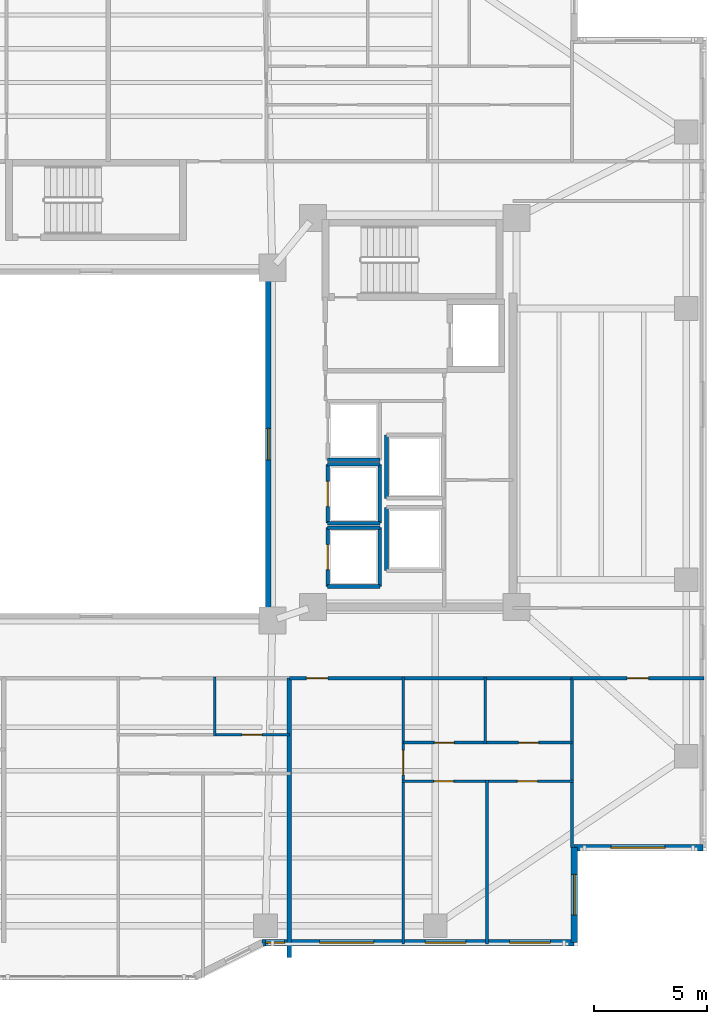
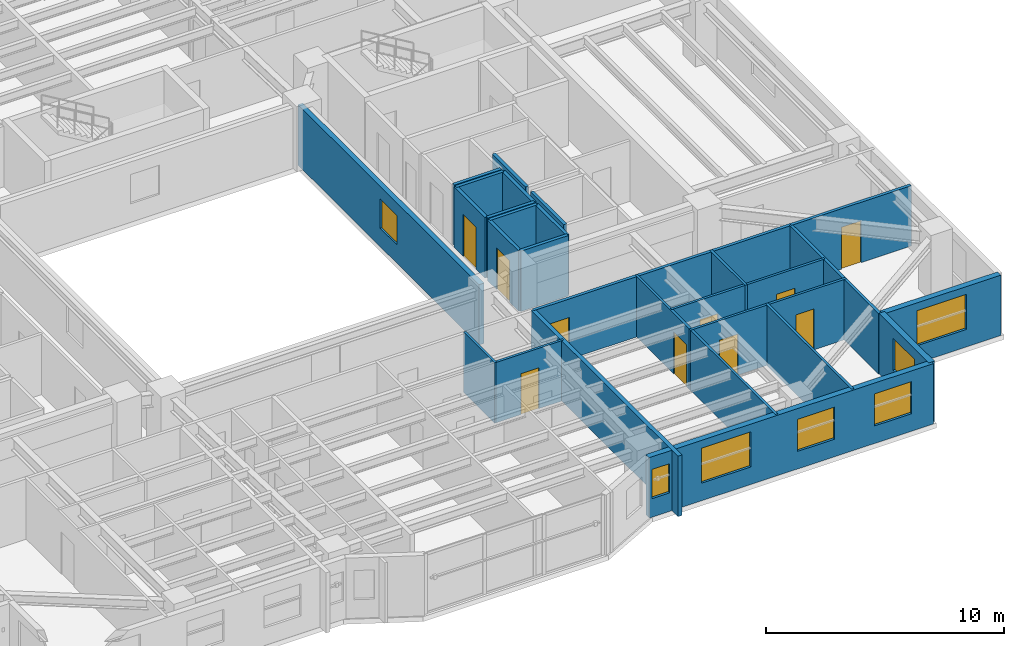
# One storey, part 8 of 18: 27 walls, 10 doors, 7 windows, 17 openings.
"""IFC4 building model written with IfcOpenShell, lengths in metres."""

from ifc_helpers import new_model, si_unit, direction, frame, frame_2d, origin, place, context, subcontext, project, spatial, rectangle, extrude, material, layer, layer_set, type_object, element, fill, save


model = new_model("IFC4")

# Units and contexts
model_context = context("Model", 3, precision=1e-05, world=origin(), true_north=direction((0.0, 1.0)))
body_context = subcontext(model_context, "Body", "Model", "MODEL_VIEW")
ifc_project = project(units=[si_unit("LENGTHUNIT", "METRE"), si_unit("AREAUNIT", "SQUARE_METRE"), si_unit("VOLUMEUNIT", "CUBIC_METRE"), si_unit("PLANEANGLEUNIT", "RADIAN"), si_unit("MASSUNIT", "GRAM", prefix="KILO")], contexts=[model_context])

# Site, building, storey
site_placement = place(None, origin())
site = spatial("IfcSite", under=ifc_project, at=site_placement, CompositionType="ELEMENT")
building_placement = place(site_placement, origin())
building = spatial("IfcBuilding", under=site, at=building_placement, Name="Tarnavaz Court Tower", CompositionType="ELEMENT")
storey_placement = place(building_placement, frame((0.0, 0.0, 85.0)))
storey = spatial("IfcBuildingStorey", under=building, at=storey_placement, Name="L22", CompositionType="ELEMENT", Elevation=85.0)

# Wall, opening, window
ifc_material_1 = material(Name="Precast Concrete C40/50", Category="concrete")
ifc_layer_1 = layer(ifc_material_1, 0.280029296875)
ifc_layer_set_1 = layer_set([ifc_layer_1], Name="Precast Concrete C40/50")
wall_type_1 = type_object("IfcWallType", Name="WL-EXT-280", PredefinedType="SOLIDWALL", material=ifc_layer_set_1)
wall_1_placement = place(storey_placement, frame((26.85009765625, -17.85009765625, 0.0), z_axis=(0.0, 0.0, 1.0), x_axis=(-1.0, 0.0, 0.0)))
wall_1 = element("IfcWall", 1, at=wall_1_placement, inside=storey, type_object=wall_type_1, Name="L22 Exterior Terracotta Facade Wall 13", PredefinedType="SOLIDWALL", context=body_context, shape_type="SweptSolid", body=[
    extrude(rectangle(XDim=5.7001953125, YDim=0.280029296875, at=frame_2d((2.85009765625, 0.0))), origin(), (0.0, 0.0, 1.0), 3.10009765625),
])
opening_1_placement = place(wall_1_placement, frame((1.675048828125, 0.0, 0.89990234375)))
opening_1 = element("IfcOpeningElement", 2, at=opening_1_placement, cuts=wall_1, Name="Opening W06", PredefinedType="OPENING", context=body_context, shape_type="SweptSolid", body=[
    extrude(rectangle(XDim=2.39990234375, YDim=1.800048828125, at=frame_2d((1.199951171875, 0.89990234375))), frame((0.0, 0.14990234375, 0.0), z_axis=(0.0, -1.0, 0.0), x_axis=(1.0, 0.0, 0.0)), (0.0, 0.0, 1.0), 0.300048828125),
])
ifc_material_2 = material(Name="Double-Glazed Solar Low-E Glass", Category="glass")
window_type_1 = type_object("IfcWindowType", Name="WN-APT-2400", PartitioningType="TRIPLE_PANEL_VERTICAL", PredefinedType="WINDOW", material=ifc_material_2)
window_1_placement = place(opening_1_placement, origin())
window_1 = element("IfcWindow", 3, at=window_1_placement, inside=storey, type_object=window_type_1, Name="L22 South-East Corner Reading Room Window", OverallHeight=1.800048828125, OverallWidth=2.39990234375, PartitioningType="SINGLE_PANEL", PredefinedType="WINDOW", context=body_context, shape_type="SweptSolid", body=[
    extrude(rectangle(XDim=2.39990234375, YDim=1.800048828125, at=frame_2d((1.199951171875, 0.89990234375))), frame((0.0, 0.030029296875, 0.0), z_axis=(0.0, -1.0, 0.0), x_axis=(1.0, 0.0, 0.0)), (0.0, 0.0, 1.0), 0.06005859375),
])
fill(opening_1, window_1)

wall_2_placement = place(storey_placement, frame((21.14990234375, -17.85009765625, 0.0), z_axis=(0.0, 0.0, 1.0), x_axis=(0.0, -1.0, 0.0)))
wall_2 = element("IfcWall", 4, at=wall_2_placement, inside=storey, type_object=wall_type_1, Name="L22 Exterior Terracotta Facade Wall 14", PredefinedType="SOLIDWALL", context=body_context, shape_type="SweptSolid", body=[
    extrude(rectangle(XDim=4.199951171875, YDim=0.280029296875, at=frame_2d((2.10009765625, 0.0))), origin(), (0.0, 0.0, 1.0), 3.10009765625),
])
opening_2_placement = place(wall_2_placement, frame((1.18212890625, 0.0, 0.89990234375)))
opening_2 = element("IfcOpeningElement", 5, at=opening_2_placement, cuts=wall_2, Name="Opening W01", PredefinedType="OPENING", context=body_context, shape_type="SweptSolid", body=[
    extrude(rectangle(XDim=1.800048828125, YDim=1.64990234375, at=frame_2d((0.89990234375, 0.824951171875))), frame((0.0, 0.14990234375, 0.0), z_axis=(0.0, -1.0, 0.0), x_axis=(1.0, 0.0, 0.0)), (0.0, 0.0, 1.0), 0.300048828125),
])
window_type_2 = type_object("IfcWindowType", Name="WN-APT-1800", PartitioningType="DOUBLE_PANEL_VERTICAL", PredefinedType="WINDOW", material=ifc_material_2)
window_2_placement = place(opening_2_placement, origin())
window_2 = element("IfcWindow", 6, at=window_2_placement, inside=storey, type_object=window_type_2, Name="L22 Flat 03 Bedroom 2 Window", OverallHeight=1.64990234375, OverallWidth=1.800048828125, PartitioningType="SINGLE_PANEL", PredefinedType="WINDOW", context=body_context, shape_type="SweptSolid", body=[
    extrude(rectangle(XDim=1.800048828125, YDim=1.64990234375, at=frame_2d((0.89990234375, 0.824951171875))), frame((0.0, 0.030029296875, 0.0), z_axis=(0.0, -1.0, 0.0), x_axis=(1.0, 0.0, 0.0)), (0.0, 0.0, 1.0), 0.06005859375),
])
fill(opening_2, window_2)

# Wall, openings, windows
wall_3_placement = place(storey_placement, frame((21.14990234375, -22.050048828125, 0.0), z_axis=(0.0, 0.0, 1.0), x_axis=(-1.0, 0.0, 0.0)))
wall_3 = element("IfcWall", 7, at=wall_3_placement, inside=storey, type_object=wall_type_1, Name="L22 Exterior Terracotta Facade Wall 15", PredefinedType="SOLIDWALL", context=body_context, shape_type="SweptSolid", body=[
    extrude(rectangle(XDim=13.7998046875, YDim=0.280029296875, at=frame_2d((6.89990234375, 0.0))), origin(), (0.0, 0.0, 1.0), 3.10009765625),
])
opening_3_placement = place(wall_3_placement, frame((1.05712890625, 0.0, 0.89990234375)))
opening_3 = element("IfcOpeningElement", 8, at=opening_3_placement, cuts=wall_3, Name="Opening W01", PredefinedType="OPENING", context=body_context, shape_type="SweptSolid", body=[
    extrude(rectangle(XDim=1.800048828125, YDim=1.64990234375, at=frame_2d((0.89990234375, 0.824951171875))), frame((0.0, 0.14990234375, 0.0), z_axis=(0.0, -1.0, 0.0), x_axis=(1.0, 0.0, 0.0)), (0.0, 0.0, 1.0), 0.300048828125),
])
opening_4_placement = place(wall_3_placement, frame((4.795654296875, 0.0, 0.89990234375)))
opening_4 = element("IfcOpeningElement", 9, at=opening_4_placement, cuts=wall_3, Name="Opening W01", PredefinedType="OPENING", context=body_context, shape_type="SweptSolid", body=[
    extrude(rectangle(XDim=1.800048828125, YDim=1.64990234375, at=frame_2d((0.89990234375, 0.824951171875))), frame((0.0, 0.14990234375, 0.0), z_axis=(0.0, -1.0, 0.0), x_axis=(1.0, 0.0, 0.0)), (0.0, 0.0, 1.0), 0.300048828125),
])
opening_5_placement = place(wall_3_placement, frame((8.861572265625, 0.0, 0.89990234375)))
opening_5 = element("IfcOpeningElement", 10, at=opening_5_placement, cuts=wall_3, Name="Opening W06", PredefinedType="OPENING", context=body_context, shape_type="SweptSolid", body=[
    extrude(rectangle(XDim=2.39990234375, YDim=1.800048828125, at=frame_2d((1.199951171875, 0.89990234375))), frame((0.0, 0.14990234375, 0.0), z_axis=(0.0, -1.0, 0.0), x_axis=(1.0, 0.0, 0.0)), (0.0, 0.0, 1.0), 0.300048828125),
])
opening_6_placement = place(wall_3_placement, frame((12.802978515625, 0.0, 0.949951171875)))
opening_6 = element("IfcOpeningElement", 11, at=opening_6_placement, cuts=wall_3, Name="Opening W15", PredefinedType="OPENING", context=body_context, shape_type="SweptSolid", body=[
    extrude(rectangle(XDim=0.85009765625, YDim=1.5, at=frame_2d((0.425048828125, 0.75))), frame((0.0, 0.14990234375, 0.0), z_axis=(0.0, -1.0, 0.0), x_axis=(1.0, 0.0, 0.0)), (0.0, 0.0, 1.0), 0.300048828125),
])
window_3_placement = place(opening_3_placement, origin())
window_3 = element("IfcWindow", 12, at=window_3_placement, inside=storey, type_object=window_type_2, Name="L22 Flat 03 Bedroom 2 Window", OverallHeight=1.64990234375, OverallWidth=1.800048828125, PartitioningType="SINGLE_PANEL", PredefinedType="WINDOW", context=body_context, shape_type="SweptSolid", body=[
    extrude(rectangle(XDim=1.800048828125, YDim=1.64990234375, at=frame_2d((0.89990234375, 0.824951171875))), frame((0.0, 0.030029296875, 0.0), z_axis=(0.0, -1.0, 0.0), x_axis=(1.0, 0.0, 0.0)), (0.0, 0.0, 1.0), 0.06005859375),
])
fill(opening_3, window_3)
window_4_placement = place(opening_4_placement, origin())
window_4 = element("IfcWindow", 13, at=window_4_placement, inside=storey, type_object=window_type_2, Name="L22 Flat 03 Principal Bedroom Window", OverallHeight=1.64990234375, OverallWidth=1.800048828125, PartitioningType="SINGLE_PANEL", PredefinedType="WINDOW", context=body_context, shape_type="SweptSolid", body=[
    extrude(rectangle(XDim=1.800048828125, YDim=1.64990234375, at=frame_2d((0.89990234375, 0.824951171875))), frame((0.0, 0.030029296875, 0.0), z_axis=(0.0, -1.0, 0.0), x_axis=(1.0, 0.0, 0.0)), (0.0, 0.0, 1.0), 0.06005859375),
])
fill(opening_4, window_4)
window_5_placement = place(opening_5_placement, origin())
window_5 = element("IfcWindow", 14, at=window_5_placement, inside=storey, type_object=window_type_1, Name="L22 Flat 03 Living and Dining Room Window", OverallHeight=1.800048828125, OverallWidth=2.39990234375, PartitioningType="SINGLE_PANEL", PredefinedType="WINDOW", context=body_context, shape_type="SweptSolid", body=[
    extrude(rectangle(XDim=2.39990234375, YDim=1.800048828125, at=frame_2d((1.199951171875, 0.89990234375))), frame((0.0, 0.030029296875, 0.0), z_axis=(0.0, -1.0, 0.0), x_axis=(1.0, 0.0, 0.0)), (0.0, 0.0, 1.0), 0.06005859375),
])
fill(opening_5, window_5)
window_type_3 = type_object("IfcWindowType", Name="WN-APT-850", PartitioningType="SINGLE_PANEL", PredefinedType="WINDOW", material=ifc_material_2)
window_6_placement = place(opening_6_placement, origin())
window_6 = element("IfcWindow", 15, at=window_6_placement, inside=storey, type_object=window_type_3, Name="L22 Flat 05 Bedroom 2 Window", OverallHeight=1.5, OverallWidth=0.85009765625, PartitioningType="SINGLE_PANEL", PredefinedType="WINDOW", context=body_context, shape_type="SweptSolid", body=[
    extrude(rectangle(XDim=0.85009765625, YDim=1.5, at=frame_2d((0.425048828125, 0.75))), frame((0.0, 0.030029296875, 0.0), z_axis=(0.0, -1.0, 0.0), x_axis=(1.0, 0.0, 0.0)), (0.0, 0.0, 1.0), 0.06005859375),
])
fill(opening_6, window_6)

# Wall, opening, door
ifc_material_3 = material(Name="Gypsum Fire-Board on Acoustic Metal Stud", Category="masonry")
ifc_layer_2 = layer(ifc_material_3, 0.14990234375)
ifc_layer_set_2 = layer_set([ifc_layer_2], Name="Gypsum Fire-Board on Acoustic Metal Stud")
wall_type_2 = type_object("IfcWallType", Name="WL-FIRE-150", PredefinedType="PARTITIONING", material=ifc_layer_set_2)
wall_4_placement = place(storey_placement, frame((8.550048828125, -10.35009765625, 0.0), z_axis=(0.0, 0.0, 1.0), x_axis=(1.0, 0.0, 0.0)))
wall_4 = element("IfcWall", 16, at=wall_4_placement, inside=storey, type_object=wall_type_2, Name="L22 SE Horseshoe Wall 074", PredefinedType="PARTITIONING", context=body_context, shape_type="SweptSolid", body=[
    extrude(rectangle(XDim=12.5, YDim=0.14990234375, at=frame_2d((6.25, 0.0))), origin(), (0.0, 0.0, 1.0), 3.10009765625),
])
opening_7_placement = place(wall_4_placement, frame((0.75, 0.0, 0.0)))
opening_7 = element("IfcOpeningElement", 17, at=opening_7_placement, cuts=wall_4, Name="Opening D06", PredefinedType="OPENING", context=body_context, shape_type="SweptSolid", body=[
    extrude(rectangle(XDim=0.9599609375, YDim=2.14990234375, at=frame_2d((0.47998046875, 1.074951171875))), frame((0.0, 0.0849609375, 0.0), z_axis=(0.0, -1.0, 0.0), x_axis=(1.0, 0.0, 0.0)), (0.0, 0.0, 1.0), 0.169921875),
])
ifc_material_4 = material(Name="Fire-Rated Hardwood Timber Core", Category="wood")
door_type_1 = type_object("IfcDoorType", Name="DR-FD60-950", OperationType="NOTDEFINED", PredefinedType="DOOR", material=ifc_material_4)
door_1_placement = place(opening_7_placement, origin())
door_1 = element("IfcDoor", 18, at=door_1_placement, inside=storey, type_object=door_type_1, Name="L22 Flat 03 Entrance Door", OperationType="SINGLE_SWING_RIGHT", OverallHeight=2.14990234375, OverallWidth=0.9599609375, PredefinedType="DOOR", context=body_context, shape_type="SweptSolid", body=[
    extrude(rectangle(XDim=0.9599609375, YDim=2.14990234375, at=frame_2d((0.47998046875, 1.074951171875))), frame((0.0, 0.02490234375, 0.0), z_axis=(0.0, -1.0, 0.0), x_axis=(1.0, 0.0, 0.0)), (0.0, 0.0, 1.0), 0.050048828125),
])
fill(opening_7, door_1)

wall_5_placement = place(storey_placement, frame((21.050048828125, -10.35009765625, 0.0), z_axis=(0.0, 0.0, 1.0), x_axis=(1.0, 0.0, 0.0)))
wall_5 = element("IfcWall", 19, at=wall_5_placement, inside=storey, type_object=wall_type_2, Name="L22 Interior Partition 122", PredefinedType="PARTITIONING", context=body_context, shape_type="SweptSolid", body=[
    extrude(rectangle(XDim=5.829833984375, YDim=0.14990234375, at=frame_2d((2.9150390625, 0.0))), origin(), (0.0, 0.0, 1.0), 3.10009765625),
])
opening_8_placement = place(wall_5_placement, frame((2.43994140625, 0.0, 0.0)))
opening_8 = element("IfcOpeningElement", 20, at=opening_8_placement, cuts=wall_5, Name="Opening D13", PredefinedType="OPENING", context=body_context, shape_type="SweptSolid", body=[
    extrude(rectangle(XDim=0.949951171875, YDim=2.14990234375, at=frame_2d((0.47509765625, 1.074951171875))), frame((0.0, 0.0849609375, 0.0), z_axis=(0.0, -1.0, 0.0), x_axis=(1.0, 0.0, 0.0)), (0.0, 0.0, 1.0), 0.169921875),
])
ifc_material_5 = material(Name="Engineered Oak Timber", Category="wood")
door_type_2 = type_object("IfcDoorType", Name="DR-INT-950", OperationType="NOTDEFINED", PredefinedType="DOOR", material=ifc_material_5)
door_2_placement = place(opening_8_placement, origin())
door_2 = element("IfcDoor", 21, at=door_2_placement, inside=storey, type_object=door_type_2, Name="L22 SE Reading Room Door", OperationType="SINGLE_SWING_RIGHT", OverallHeight=2.14990234375, OverallWidth=0.949951171875, PredefinedType="DOOR", context=body_context, shape_type="SweptSolid", body=[
    extrude(rectangle(XDim=0.949951171875, YDim=2.14990234375, at=frame_2d((0.47509765625, 1.074951171875))), frame((0.0, 0.02490234375, 0.0), z_axis=(0.0, -1.0, 0.0), x_axis=(1.0, 0.0, 0.0)), (0.0, 0.0, 1.0), 0.050048828125),
])
fill(opening_8, door_2)

# Wall
ifc_material_6 = material(Name="Autoclaved Aerated Concrete Blockwork", Category="masonry")
ifc_layer_3 = layer(ifc_material_6, 0.199951171875)
ifc_layer_set_3 = layer_set([ifc_layer_3], Name="Autoclaved Aerated Concrete Blockwork")
wall_type_3 = type_object("IfcWallType", Name="WL-FIRE-200", PredefinedType="SOLIDWALL", material=ifc_layer_set_3)
wall_6_placement = place(storey_placement, frame((8.550048828125, -22.7041015625, 0.0), z_axis=(0.0, 0.0, 1.0), x_axis=(0.0, 1.0, 0.0)))
element("IfcWall", 22, at=wall_6_placement, inside=storey, type_object=wall_type_3, Name="L22 Party Wall 099", PredefinedType="SOLIDWALL", context=body_context, shape_type="SweptSolid", body=[
    extrude(rectangle(XDim=12.35400390625, YDim=0.199951171875, at=frame_2d((6.177001953125, 0.0))), origin(), (0.0, 0.0, 1.0), 3.10009765625),
])

# Wall, opening, door
ifc_material_7 = material(Name="Moisture-Resistant Gypsum Board Partition", Category="masonry")
ifc_layer_4 = layer(ifc_material_7, 0.1201171875)
ifc_layer_set_4 = layer_set([ifc_layer_4], Name="Moisture-Resistant Gypsum Board Partition")
wall_type_4 = type_object("IfcWallType", Name="WL-PART-120", PredefinedType="PARTITIONING", material=ifc_layer_set_4)
wall_7_placement = place(storey_placement, frame((13.592041015625, -22.10009765625, 0.0), z_axis=(0.0, 0.0, 1.0), x_axis=(0.0, 1.0, 0.0)))
wall_7 = element("IfcWall", 23, at=wall_7_placement, inside=storey, type_object=wall_type_4, Name="L22 Interior Partition 092", PredefinedType="PARTITIONING", context=body_context, shape_type="SweptSolid", body=[
    extrude(rectangle(XDim=11.81005859375, YDim=0.1201171875, at=frame_2d((5.905029296875, 0.0))), origin(), (0.0, 0.0, 1.0), 3.10009765625),
])
opening_9_placement = place(wall_7_placement, frame((7.47509765625, 0.0, 0.0)))
opening_9 = element("IfcOpeningElement", 24, at=opening_9_placement, cuts=wall_7, Name="Opening D12", PredefinedType="OPENING", context=body_context, shape_type="SweptSolid", body=[
    extrude(rectangle(XDim=1.080078125, YDim=2.14990234375, at=frame_2d((0.5400390625, 1.074951171875))), frame((0.0, 0.070068359375, 0.0), z_axis=(0.0, -1.0, 0.0), x_axis=(1.0, 0.0, 0.0)), (0.0, 0.0, 1.0), 0.14013671875),
])
door_type_3 = type_object("IfcDoorType", Name="DR-INT-1100", OperationType="NOTDEFINED", PredefinedType="DOOR", material=ifc_material_5)
door_3_placement = place(opening_9_placement, origin())
door_3 = element("IfcDoor", 25, at=door_3_placement, inside=storey, type_object=door_type_3, Name="L22 Flat 03 Foyer Door", OperationType="SINGLE_SWING_LEFT", OverallHeight=2.14990234375, OverallWidth=1.080078125, PredefinedType="DOOR", context=body_context, shape_type="SweptSolid", body=[
    extrude(rectangle(XDim=1.080078125, YDim=2.14990234375, at=frame_2d((0.5400390625, 1.074951171875))), frame((0.0, 0.02490234375, 0.0), z_axis=(0.0, -1.0, 0.0), x_axis=(1.0, 0.0, 0.0)), (0.0, 0.0, 1.0), 0.050048828125),
])
fill(opening_9, door_3)

wall_8_placement = place(storey_placement, frame((13.592041015625, -13.199951171875, 0.0), z_axis=(0.0, 0.0, 1.0), x_axis=(1.0, 0.0, 0.0)))
wall_8 = element("IfcWall", 26, at=wall_8_placement, inside=storey, type_object=wall_type_4, Name="L22 Interior Partition 093", PredefinedType="PARTITIONING", context=body_context, shape_type="SweptSolid", body=[
    extrude(rectangle(XDim=3.625, YDim=0.1201171875, at=frame_2d((1.8125, 0.0))), origin(), (0.0, 0.0, 1.0), 3.10009765625),
])
opening_10_placement = place(wall_8_placement, frame((1.3720703125, 0.0, 0.0)))
opening_10 = element("IfcOpeningElement", 27, at=opening_10_placement, cuts=wall_8, Name="Opening D14", PredefinedType="OPENING", context=body_context, shape_type="SweptSolid", body=[
    extrude(rectangle(XDim=0.8798828125, YDim=2.10009765625, at=frame_2d((0.43994140625, 1.050048828125))), frame((0.0, 0.070068359375, 0.0), z_axis=(0.0, -1.0, 0.0), x_axis=(1.0, 0.0, 0.0)), (0.0, 0.0, 1.0), 0.14013671875),
])
door_type_4 = type_object("IfcDoorType", Name="DR-INT-900", OperationType="NOTDEFINED", PredefinedType="DOOR", material=ifc_material_5)
door_4_placement = place(opening_10_placement, origin())
door_4 = element("IfcDoor", 28, at=door_4_placement, inside=storey, type_object=door_type_4, Name="L22 Flat 03 Kitchen Door", OperationType="SINGLE_SWING_RIGHT", OverallHeight=2.10009765625, OverallWidth=0.8798828125, PredefinedType="DOOR", context=body_context, shape_type="SweptSolid", body=[
    extrude(rectangle(XDim=0.8798828125, YDim=2.10009765625, at=frame_2d((0.43994140625, 1.050048828125))), frame((0.0, 0.02490234375, 0.0), z_axis=(0.0, -1.0, 0.0), x_axis=(1.0, 0.0, 0.0)), (0.0, 0.0, 1.0), 0.050048828125),
])
fill(opening_10, door_4)

wall_9_placement = place(storey_placement, frame((17.217041015625, -13.199951171875, 0.0), z_axis=(0.0, 0.0, 1.0), x_axis=(1.0, 0.0, 0.0)))
wall_9 = element("IfcWall", 29, at=wall_9_placement, inside=storey, type_object=wall_type_4, Name="L22 Interior Partition 094", PredefinedType="PARTITIONING", context=body_context, shape_type="SweptSolid", body=[
    extrude(rectangle(XDim=3.8330078125, YDim=0.1201171875, at=frame_2d((1.91650390625, 0.0))), origin(), (0.0, 0.0, 1.0), 3.10009765625),
])
opening_11_placement = place(wall_9_placement, frame((1.47705078125, 0.0, 0.0)))
opening_11 = element("IfcOpeningElement", 30, at=opening_11_placement, cuts=wall_9, Name="Opening D14", PredefinedType="OPENING", context=body_context, shape_type="SweptSolid", body=[
    extrude(rectangle(XDim=0.8798828125, YDim=2.10009765625, at=frame_2d((0.43994140625, 1.050048828125))), frame((0.0, 0.070068359375, 0.0), z_axis=(0.0, -1.0, 0.0), x_axis=(1.0, 0.0, 0.0)), (0.0, 0.0, 1.0), 0.14013671875),
])
door_5_placement = place(opening_11_placement, origin())
door_5 = element("IfcDoor", 31, at=door_5_placement, inside=storey, type_object=door_type_4, Name="L22 Flat 03 Bathroom Door", OperationType="SINGLE_SWING_LEFT", OverallHeight=2.10009765625, OverallWidth=0.8798828125, PredefinedType="DOOR", context=body_context, shape_type="SweptSolid", body=[
    extrude(rectangle(XDim=0.8798828125, YDim=2.10009765625, at=frame_2d((0.43994140625, 1.050048828125))), frame((0.0, 0.02490234375, 0.0), z_axis=(0.0, -1.0, 0.0), x_axis=(1.0, 0.0, 0.0)), (0.0, 0.0, 1.0), 0.050048828125),
])
fill(opening_11, door_5)

# Wall, openings, doors
wall_10_placement = place(storey_placement, frame((13.531982421875, -14.909912109375, 0.0), z_axis=(0.0, 0.0, 1.0), x_axis=(1.0, 0.0, 0.0)))
wall_10 = element("IfcWall", 32, at=wall_10_placement, inside=storey, type_object=wall_type_4, Name="L22 Interior Partition 095", PredefinedType="PARTITIONING", context=body_context, shape_type="SweptSolid", body=[
    extrude(rectangle(XDim=7.578125, YDim=0.1201171875, at=frame_2d((3.7890625, 0.0))), origin(), (0.0, 0.0, 1.0), 3.10009765625),
])
opening_12_placement = place(wall_10_placement, frame((1.409912109375, 0.0, 0.0)))
opening_12 = element("IfcOpeningElement", 33, at=opening_12_placement, cuts=wall_10, Name="Opening D14", PredefinedType="OPENING", context=body_context, shape_type="SweptSolid", body=[
    extrude(rectangle(XDim=0.8798828125, YDim=2.10009765625, at=frame_2d((0.43994140625, 1.050048828125))), frame((0.0, 0.070068359375, 0.0), z_axis=(0.0, -1.0, 0.0), x_axis=(1.0, 0.0, 0.0)), (0.0, 0.0, 1.0), 0.14013671875),
])
opening_13_placement = place(wall_10_placement, frame((5.10888671875, 0.0, 0.0)))
opening_13 = element("IfcOpeningElement", 34, at=opening_13_placement, cuts=wall_10, Name="Opening D14", PredefinedType="OPENING", context=body_context, shape_type="SweptSolid", body=[
    extrude(rectangle(XDim=0.8798828125, YDim=2.10009765625, at=frame_2d((0.43994140625, 1.050048828125))), frame((0.0, 0.070068359375, 0.0), z_axis=(0.0, -1.0, 0.0), x_axis=(1.0, 0.0, 0.0)), (0.0, 0.0, 1.0), 0.14013671875),
])
door_6_placement = place(opening_12_placement, origin())
door_6 = element("IfcDoor", 35, at=door_6_placement, inside=storey, type_object=door_type_4, Name="L22 Flat 03 Bedroom 1 Door", OperationType="SINGLE_SWING_RIGHT", OverallHeight=2.10009765625, OverallWidth=0.8798828125, PredefinedType="DOOR", context=body_context, shape_type="SweptSolid", body=[
    extrude(rectangle(XDim=0.8798828125, YDim=2.10009765625, at=frame_2d((0.43994140625, 1.050048828125))), frame((0.0, 0.02490234375, 0.0), z_axis=(0.0, -1.0, 0.0), x_axis=(1.0, 0.0, 0.0)), (0.0, 0.0, 1.0), 0.050048828125),
])
fill(opening_12, door_6)
door_7_placement = place(opening_13_placement, origin())
door_7 = element("IfcDoor", 36, at=door_7_placement, inside=storey, type_object=door_type_4, Name="L22 Flat 03 Bedroom 2 Door", OperationType="SINGLE_SWING_LEFT", OverallHeight=2.10009765625, OverallWidth=0.8798828125, PredefinedType="DOOR", context=body_context, shape_type="SweptSolid", body=[
    extrude(rectangle(XDim=0.8798828125, YDim=2.10009765625, at=frame_2d((0.43994140625, 1.050048828125))), frame((0.0, 0.02490234375, 0.0), z_axis=(0.0, -1.0, 0.0), x_axis=(1.0, 0.0, 0.0)), (0.0, 0.0, 1.0), 0.050048828125),
])
fill(opening_13, door_7)

# Walls
wall_11_placement = place(storey_placement, frame((17.217041015625, -13.260009765625, 0.0), z_axis=(0.0, 0.0, 1.0), x_axis=(0.0, 1.0, 0.0)))
element("IfcWall", 37, at=wall_11_placement, inside=storey, type_object=wall_type_4, Name="L22 Interior Partition 096", PredefinedType="PARTITIONING", context=body_context, shape_type="SweptSolid", body=[
    extrude(rectangle(XDim=2.969970703125, YDim=0.1201171875, at=frame_2d((1.48486328125, 0.0))), origin(), (0.0, 0.0, 1.0), 3.10009765625),
])
wall_12_placement = place(storey_placement, frame((17.291015625, -22.10009765625, 0.0), z_axis=(0.0, 0.0, 1.0), x_axis=(0.0, 1.0, 0.0)))
element("IfcWall", 38, at=wall_12_placement, inside=storey, type_object=wall_type_4, Name="L22 Interior Partition 097", PredefinedType="PARTITIONING", context=body_context, shape_type="SweptSolid", body=[
    extrude(rectangle(XDim=7.25, YDim=0.1201171875, at=frame_2d((3.625, 0.0))), origin(), (0.0, 0.0, 1.0), 3.10009765625),
])

# Wall, opening, door
wall_13_placement = place(storey_placement, frame((5.2548828125, -12.860107421875, 0.0), z_axis=(0.0, 0.0, 1.0), x_axis=(1.0, 0.0, 0.0)))
wall_13 = element("IfcWall", 39, at=wall_13_placement, inside=storey, type_object=wall_type_4, Name="L22 Interior Partition 107", PredefinedType="PARTITIONING", context=body_context, shape_type="SweptSolid", body=[
    extrude(rectangle(XDim=3.295166015625, YDim=0.1201171875, at=frame_2d((1.6474609375, 0.0))), origin(), (0.0, 0.0, 1.0), 3.10009765625),
])
opening_14_placement = place(wall_13_placement, frame((1.2080078125, 0.0, 0.0)))
opening_14 = element("IfcOpeningElement", 40, at=opening_14_placement, cuts=wall_13, Name="Opening D14", PredefinedType="OPENING", context=body_context, shape_type="SweptSolid", body=[
    extrude(rectangle(XDim=0.8798828125, YDim=2.10009765625, at=frame_2d((0.43994140625, 1.050048828125))), frame((0.0, 0.070068359375, 0.0), z_axis=(0.0, -1.0, 0.0), x_axis=(1.0, 0.0, 0.0)), (0.0, 0.0, 1.0), 0.14013671875),
])
door_8_placement = place(opening_14_placement, origin())
door_8 = element("IfcDoor", 41, at=door_8_placement, inside=storey, type_object=door_type_4, Name="L22 Flat 05 Bathroom Door", OperationType="SINGLE_SWING_RIGHT", OverallHeight=2.10009765625, OverallWidth=0.8798828125, PredefinedType="DOOR", context=body_context, shape_type="SweptSolid", body=[
    extrude(rectangle(XDim=0.8798828125, YDim=2.10009765625, at=frame_2d((0.43994140625, 1.050048828125))), frame((0.0, 0.02490234375, 0.0), z_axis=(0.0, -1.0, 0.0), x_axis=(1.0, 0.0, 0.0)), (0.0, 0.0, 1.0), 0.050048828125),
])
fill(opening_14, door_8)

# Walls
wall_14_placement = place(storey_placement, frame((5.2548828125, -12.919921875, 0.0), z_axis=(0.0, 0.0, 1.0), x_axis=(0.0, 1.0, 0.0)))
element("IfcWall", 42, at=wall_14_placement, inside=storey, type_object=wall_type_4, Name="L22 Interior Partition 109", PredefinedType="PARTITIONING", context=body_context, shape_type="SweptSolid", body=[
    extrude(rectangle(XDim=2.6298828125, YDim=0.1201171875, at=frame_2d((1.31494140625, 0.0))), origin(), (0.0, 0.0, 1.0), 3.10009765625),
])
ifc_material_8 = material(Name="Gypsum Plasterboard Acoustic Partition", Category="masonry")
ifc_layer_5 = layer(ifc_material_8, 0.139892578125)
ifc_layer_set_5 = layer_set([ifc_layer_5], Name="Gypsum Plasterboard Acoustic Partition")
wall_type_5 = type_object("IfcWallType", Name="WL-PART-150", PredefinedType="PARTITIONING", material=ifc_layer_set_5)
wall_15_placement = place(storey_placement, frame((21.050048828125, -17.85009765625, 0.0), z_axis=(0.0, 0.0, 1.0), x_axis=(0.0, 1.0, 0.0)))
element("IfcWall", 43, at=wall_15_placement, inside=storey, type_object=wall_type_5, Name="L22 Interior Partition 116", PredefinedType="PARTITIONING", context=body_context, shape_type="SweptSolid", body=[
    extrude(rectangle(XDim=7.5, YDim=0.139892578125, at=frame_2d((3.75, 0.0))), origin(), (0.0, 0.0, 1.0), 3.10009765625),
])

# Wall, opening, door
ifc_layer_6 = layer(ifc_material_6, 0.159912109375)
ifc_layer_set_6 = layer_set([ifc_layer_6], Name="Autoclaved Aerated Concrete Blockwork")
wall_type_6 = type_object("IfcWallType", Name="WL-SHAFT-150", PredefinedType="SOLIDWALL", material=ifc_layer_set_6)
wall_16_placement = place(storey_placement, frame((10.25, -6.300048828125, 0.0), z_axis=(0.0, 0.0, 1.0), x_axis=(0.0, 1.0, 0.0)))
wall_16 = element("IfcWall", 44, at=wall_16_placement, inside=storey, type_object=wall_type_6, Name="L22 Lift PL-M1 Shaft Wall 037", PredefinedType="SOLIDWALL", context=body_context, shape_type="SweptSolid", body=[
    extrude(rectangle(XDim=2.60009765625, YDim=0.159912109375, at=frame_2d((1.300048828125, 0.0))), origin(), (0.0, 0.0, 1.0), 3.10009765625),
])
opening_15_placement = place(wall_16_placement, frame((0.75, 0.0, 0.0)))
opening_15 = element("IfcOpeningElement", 45, at=opening_15_placement, cuts=wall_16, Name="Opening LD1", PredefinedType="OPENING", context=body_context, shape_type="SweptSolid", body=[
    extrude(rectangle(XDim=1.10009765625, YDim=2.14990234375, at=frame_2d((0.550048828125, 1.074951171875))), frame((0.0, 0.08984375, 0.0), z_axis=(0.0, -1.0, 0.0), x_axis=(1.0, 0.0, 0.0)), (0.0, 0.0, 1.0), 0.179931640625),
])
ifc_material_9 = material(Name="Stainless Steel", Category="steel")
door_type_5 = type_object("IfcDoorType", Name="DR-LD-1100", OperationType="NOTDEFINED", PredefinedType="DOOR", material=ifc_material_9)
door_9_placement = place(opening_15_placement, origin())
door_9 = element("IfcDoor", 46, at=door_9_placement, inside=storey, type_object=door_type_5, Name="L22 Lift Landing Door LD-PL-M1", OperationType="SLIDING_TO_LEFT", OverallHeight=2.14990234375, OverallWidth=1.10009765625, PredefinedType="DOOR", context=body_context, shape_type="SweptSolid", body=[
    extrude(rectangle(XDim=1.10009765625, YDim=2.14990234375, at=frame_2d((0.550048828125, 1.074951171875))), frame((0.0, 0.02490234375, 0.0), z_axis=(0.0, -1.0, 0.0), x_axis=(1.0, 0.0, 0.0)), (0.0, 0.0, 1.0), 0.050048828125),
])
fill(opening_15, door_9)

# Walls
wall_17_placement = place(storey_placement, frame((12.550048828125, -6.300048828125, 0.0), z_axis=(0.0, 0.0, 1.0), x_axis=(0.0, 1.0, 0.0)))
element("IfcWall", 47, at=wall_17_placement, inside=storey, type_object=wall_type_6, Name="L22 Lift PL-M1 Shaft Wall 038", PredefinedType="SOLIDWALL", context=body_context, shape_type="SweptSolid", body=[
    extrude(rectangle(XDim=2.60009765625, YDim=0.159912109375, at=frame_2d((1.300048828125, 0.0))), origin(), (0.0, 0.0, 1.0), 3.10009765625),
])
for number, where, z_axis, x_axis, name in (
    (48, (10.25, -6.300048828125, 0.0), (0.0, 0.0, 1.0), (1.0, 0.0, 0.0), "L22 Lift PL-M1 Shaft Wall 039"),
    (49, (10.25, -3.699951171875, 0.0), (0.0, 0.0, 1.0), (1.0, 0.0, 0.0), "L22 Lift PL-M1 Shaft Wall 040"),
):
    element("IfcWall", number, at=place(storey_placement, frame(where, z_axis=z_axis, x_axis=x_axis)), inside=storey, type_object=wall_type_6, Name=name, PredefinedType="SOLIDWALL", context=body_context, shape_type="SweptSolid", body=[
        extrude(rectangle(XDim=2.300048828125, YDim=0.159912109375, at=frame_2d((1.14990234375, 0.0))), origin(), (0.0, 0.0, 1.0), 3.10009765625),
    ])

# Wall, opening, door
wall_18_placement = place(storey_placement, frame((10.25, -3.5, 0.0), z_axis=(0.0, 0.0, 1.0), x_axis=(0.0, 1.0, 0.0)))
wall_18 = element("IfcWall", 50, at=wall_18_placement, inside=storey, type_object=wall_type_6, Name="L22 Lift PL-M2 Shaft Wall 041", PredefinedType="SOLIDWALL", context=body_context, shape_type="SweptSolid", body=[
    extrude(rectangle(XDim=2.60009765625, YDim=0.159912109375, at=frame_2d((1.300048828125, 0.0))), origin(), (0.0, 0.0, 1.0), 3.10009765625),
])
opening_16_placement = place(wall_18_placement, frame((0.75, 0.0, 0.0)))
opening_16 = element("IfcOpeningElement", 51, at=opening_16_placement, cuts=wall_18, Name="Opening LD1", PredefinedType="OPENING", context=body_context, shape_type="SweptSolid", body=[
    extrude(rectangle(XDim=1.10009765625, YDim=2.14990234375, at=frame_2d((0.550048828125, 1.074951171875))), frame((0.0, 0.08984375, 0.0), z_axis=(0.0, -1.0, 0.0), x_axis=(1.0, 0.0, 0.0)), (0.0, 0.0, 1.0), 0.179931640625),
])
door_10_placement = place(opening_16_placement, origin())
door_10 = element("IfcDoor", 52, at=door_10_placement, inside=storey, type_object=door_type_5, Name="L22 Lift Landing Door LD-PL-M2", OperationType="SLIDING_TO_LEFT", OverallHeight=2.14990234375, OverallWidth=1.10009765625, PredefinedType="DOOR", context=body_context, shape_type="SweptSolid", body=[
    extrude(rectangle(XDim=1.10009765625, YDim=2.14990234375, at=frame_2d((0.550048828125, 1.074951171875))), frame((0.0, 0.02490234375, 0.0), z_axis=(0.0, -1.0, 0.0), x_axis=(1.0, 0.0, 0.0)), (0.0, 0.0, 1.0), 0.050048828125),
])
fill(opening_16, door_10)

# Walls
wall_19_placement = place(storey_placement, frame((12.550048828125, -3.5, 0.0), z_axis=(0.0, 0.0, 1.0), x_axis=(0.0, 1.0, 0.0)))
element("IfcWall", 53, at=wall_19_placement, inside=storey, type_object=wall_type_6, Name="L22 Lift PL-M2 Shaft Wall 042", PredefinedType="SOLIDWALL", context=body_context, shape_type="SweptSolid", body=[
    extrude(rectangle(XDim=2.60009765625, YDim=0.159912109375, at=frame_2d((1.300048828125, 0.0))), origin(), (0.0, 0.0, 1.0), 3.10009765625),
])
for number, where, z_axis, x_axis, name in (
    (54, (10.25, -3.5, 0.0), (0.0, 0.0, 1.0), (1.0, 0.0, 0.0), "L22 Lift PL-M2 Shaft Wall 043"),
    (55, (10.25, -0.89990234375, 0.0), (0.0, 0.0, 1.0), (1.0, 0.0, 0.0), "L22 Lift PL-M2 Shaft Wall 044"),
    (56, (10.25, -0.699951171875, 0.0), (0.0, 0.0, 1.0), (1.0, 0.0, 0.0), "L22 Lift PL-M3 Shaft Wall 047"),
):
    element("IfcWall", number, at=place(storey_placement, frame(where, z_axis=z_axis, x_axis=x_axis)), inside=storey, type_object=wall_type_6, Name=name, PredefinedType="SOLIDWALL", context=body_context, shape_type="SweptSolid", body=[
        extrude(rectangle(XDim=2.300048828125, YDim=0.159912109375, at=frame_2d((1.14990234375, 0.0))), origin(), (0.0, 0.0, 1.0), 3.10009765625),
    ])
wall_20_placement = place(storey_placement, frame((12.85009765625, -5.60009765625, 0.0), z_axis=(0.0, 0.0, 1.0), x_axis=(0.0, 1.0, 0.0)))
element("IfcWall", 57, at=wall_20_placement, inside=storey, type_object=wall_type_6, Name="L22 Lift PL-OB1 Shaft Wall 049", PredefinedType="SOLIDWALL", context=body_context, shape_type="SweptSolid", body=[
    extrude(rectangle(XDim=2.800048828125, YDim=0.159912109375, at=frame_2d((1.39990234375, 0.0))), origin(), (0.0, 0.0, 1.0), 3.10009765625),
])
wall_21_placement = place(storey_placement, frame((12.85009765625, -2.39990234375, 0.0), z_axis=(0.0, 0.0, 1.0), x_axis=(0.0, 1.0, 0.0)))
element("IfcWall", 58, at=wall_21_placement, inside=storey, type_object=wall_type_6, Name="L22 Lift PL-OB2 Shaft Wall 053", PredefinedType="SOLIDWALL", context=body_context, shape_type="SweptSolid", body=[
    extrude(rectangle(XDim=2.7998046875, YDim=0.159912109375, at=frame_2d((1.39990234375, 0.0))), origin(), (0.0, 0.0, 1.0), 3.10009765625),
])

# Wall, opening, window
ifc_layer_7 = layer(ifc_material_1, 0.239990234375)
ifc_layer_set_7 = layer_set([ifc_layer_7], Name="Precast Concrete C40/50")
wall_type_7 = type_object("IfcWallType", Name="WL-WELL-240", PredefinedType="SOLIDWALL", material=ifc_layer_set_7)
wall_22_placement = place(storey_placement, frame((7.6201171875, -7.6201171875, 0.0), z_axis=(0.0, 0.0, 1.0), x_axis=(0.0, 1.0, 0.0)))
wall_22 = element("IfcWall", 59, at=wall_22_placement, inside=storey, type_object=wall_type_7, Name="L22 Badgir Light-Well Exterior Wall E", PredefinedType="SOLIDWALL", context=body_context, shape_type="SweptSolid", body=[
    extrude(rectangle(XDim=15.240234375, YDim=0.239990234375, at=frame_2d((7.6201171875, 0.0))), origin(), (0.0, 0.0, 1.0), 3.10009765625),
])
opening_17_placement = place(wall_22_placement, frame((6.919921875, 0.0, 0.949951171875)))
opening_17 = element("IfcOpeningElement", 60, at=opening_17_placement, cuts=wall_22, Name="Opening W13", PredefinedType="OPENING", context=body_context, shape_type="SweptSolid", body=[
    extrude(rectangle(XDim=1.39990234375, YDim=1.5, at=frame_2d((0.699951171875, 0.75))), frame((0.0, 0.1298828125, 0.0), z_axis=(0.0, -1.0, 0.0), x_axis=(1.0, 0.0, 0.0)), (0.0, 0.0, 1.0), 0.260009765625),
])
window_type_4 = type_object("IfcWindowType", Name="WN-WEL-1400", PartitioningType="SINGLE_PANEL", PredefinedType="WINDOW", material=ifc_material_2)
window_7_placement = place(opening_17_placement, origin())
window_7 = element("IfcWindow", 61, at=window_7_placement, inside=storey, type_object=window_type_4, Name="L22 Courtyard Gallery Window E", OverallHeight=1.5, OverallWidth=1.39990234375, PartitioningType="SINGLE_PANEL", PredefinedType="WINDOW", context=body_context, shape_type="SweptSolid", body=[
    extrude(rectangle(XDim=1.39990234375, YDim=1.5, at=frame_2d((0.699951171875, 0.75))), frame((0.0, 0.030029296875, 0.0), z_axis=(0.0, -1.0, 0.0), x_axis=(1.0, 0.0, 0.0)), (0.0, 0.0, 1.0), 0.06005859375),
])
fill(opening_17, window_7)

save(model, "model.ifc")
